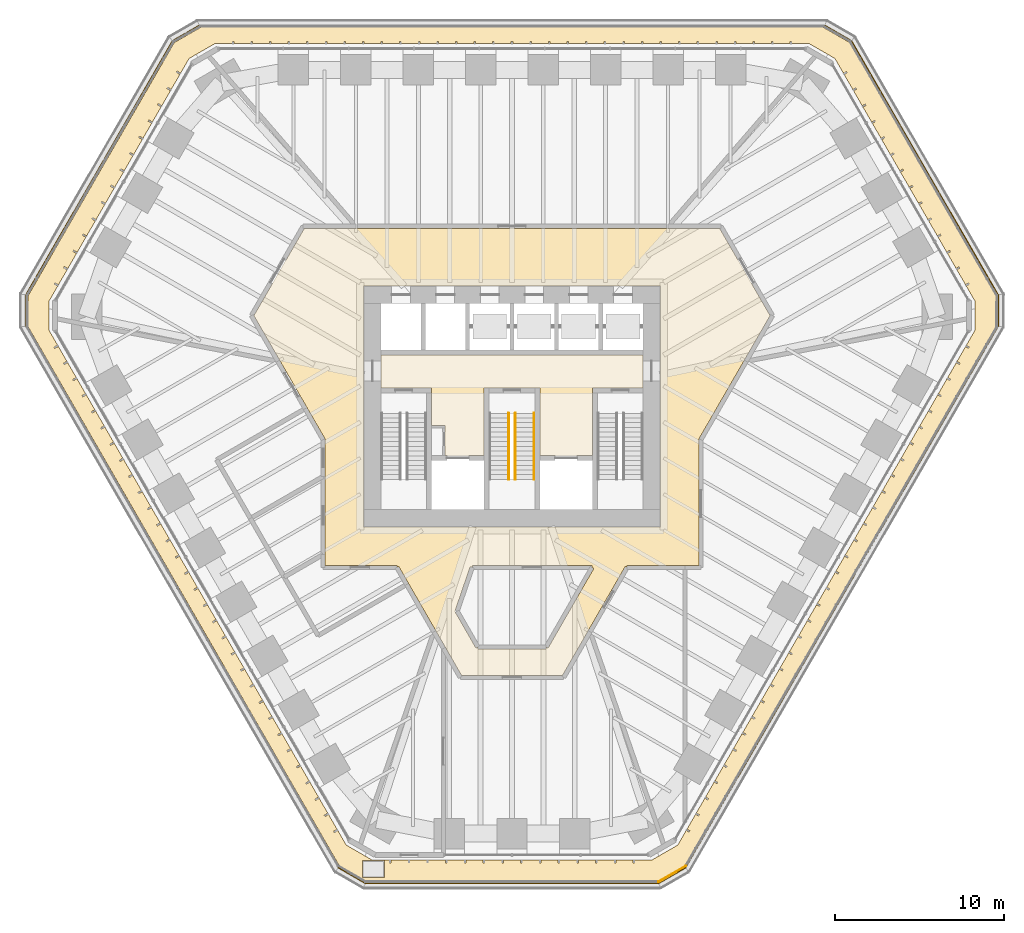
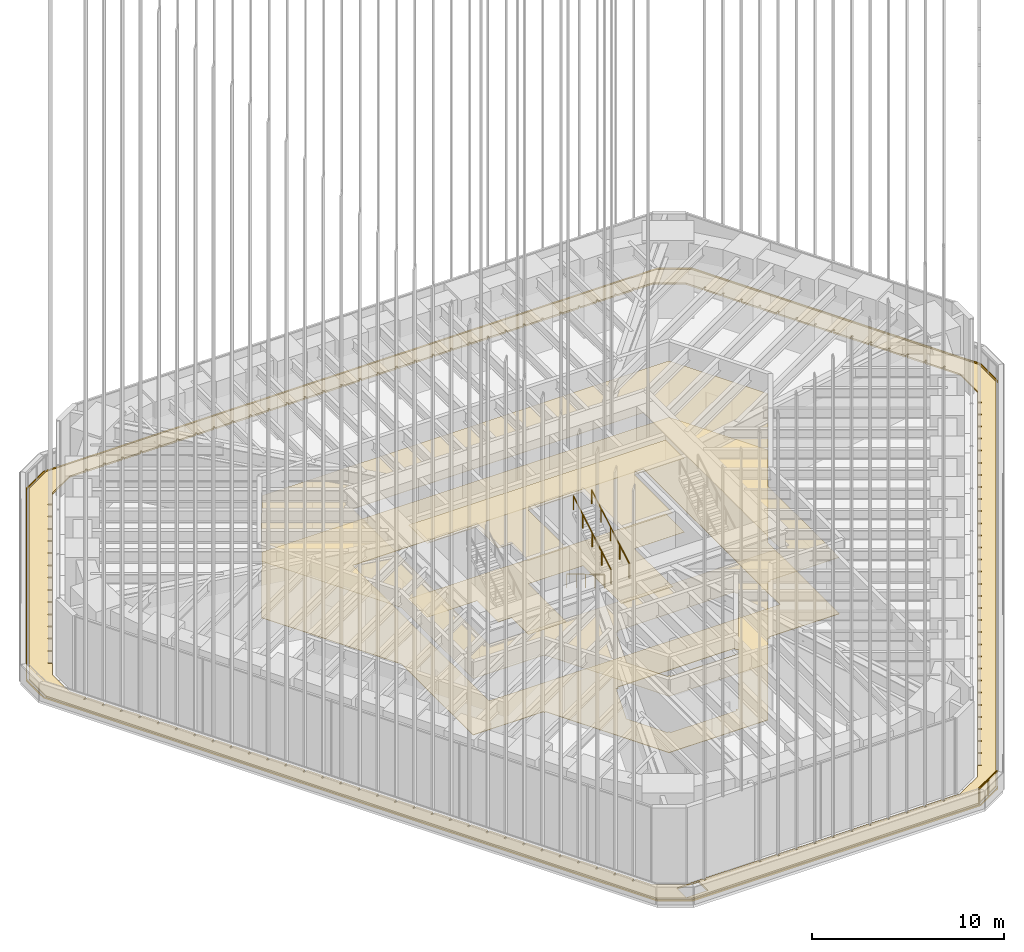
# One storey, part 224 of 228: 6 coverings, 4 railings.
"""IFC4 building model written with IfcOpenShell, lengths in metres."""

from ifc_helpers import new_model, si_unit, direction, frame, origin, origin_2d, place, context, subcontext, project, spatial, polyline, circle, outline, extrude, material, layer, layer_set, type_object, element, save


model = new_model("IFC4")

# Units and contexts
model_context = context("Model", 3, precision=1e-05, world=origin(), true_north=direction((0.0, 1.0)))
body_context = subcontext(model_context, "Body", "Model", "MODEL_VIEW")
ifc_project = project(units=[si_unit("LENGTHUNIT", "METRE"), si_unit("AREAUNIT", "SQUARE_METRE"), si_unit("VOLUMEUNIT", "CUBIC_METRE"), si_unit("PLANEANGLEUNIT", "RADIAN"), si_unit("MASSUNIT", "GRAM", prefix="KILO")], contexts=[model_context])

# Site, building, storey
site_placement = place(None, origin())
site = spatial("IfcSite", under=ifc_project, at=site_placement, CompositionType="ELEMENT")
building_placement = place(site_placement, origin())
building = spatial("IfcBuilding", under=site, at=building_placement, Name="Sandreach Pilgrim Tower", CompositionType="ELEMENT")
storey_placement = place(building_placement, frame((0.0, 0.0, 178.199951171875)))
storey = spatial("IfcBuildingStorey", under=building, at=storey_placement, Name="L44", CompositionType="ELEMENT", Elevation=178.199951171875)

# Coverings
ifc_material_1 = material(Name="Nylon carpet tile on the slab", Category="textile")
ifc_layer_1 = layer(ifc_material_1, 0.008056640625)
ifc_layer_set_1 = layer_set([ifc_layer_1], Name="Carpet tile")
covering_type_1 = type_object("IfcCoveringType", Name="Carpet tile", PredefinedType="FLOORING", material=ifc_layer_set_1)
covering_1_placement = place(storey_placement, origin())
element("IfcCovering", 1, at=covering_1_placement, inside=storey, type_object=covering_type_1, Name="Floor finish 44FL Fire service lift lobby", PredefinedType="FLOORING", context=body_context, shape_type="SweptSolid", body=[
    extrude(outline(polyline([(-3.949951171875, -1.125), (-4.75, -1.125), (-4.75, 1.10009765625), (-7.75, 1.10009765625), (-7.75, 3.050048828125), (7.75, 3.050048828125), (7.75, 1.10009765625), (4.75, 1.10009765625), (4.75, -2.89990234375), (1.64990234375, -2.89990234375), (1.64990234375, 1.10009765625), (-1.64990234375, 1.10009765625), (-1.64990234375, -2.89990234375), (-3.949951171875, -2.89990234375), (-3.949951171875, -1.125)])), origin(), (0.0, 0.0, 1.0), 0.008056640625),
])
ifc_material_2 = material(Name="Gypsum board suspended ceiling on a steel grid", Category="steel")
ifc_layer_2 = layer(ifc_material_2, 0.012939453125)
ifc_layer_set_2 = layer_set([ifc_layer_2], Name="Gypsum board suspended ceiling")
covering_type_2 = type_object("IfcCoveringType", Name="Gypsum board suspended ceiling", PredefinedType="CEILING", material=ifc_layer_set_2)
covering_2_placement = place(storey_placement, frame((0.0, 0.0, 4.699951171875)))
element("IfcCovering", 2, at=covering_2_placement, inside=storey, type_object=covering_type_2, Name="Ceiling 44FL Fire service lift lobby", PredefinedType="CEILING", context=body_context, shape_type="SweptSolid", body=[
    extrude(outline(polyline([(-3.949951171875, -1.125), (-4.75, -1.125), (-4.75, 1.10009765625), (-7.75, 1.10009765625), (-7.75, 3.050048828125), (7.75, 3.050048828125), (7.75, 1.10009765625), (4.75, 1.10009765625), (4.75, -2.89990234375), (1.64990234375, -2.89990234375), (1.64990234375, 1.10009765625), (-1.64990234375, 1.10009765625), (-1.64990234375, -2.89990234375), (-3.949951171875, -2.89990234375), (-3.949951171875, -1.125)])), origin(), (0.0, 0.0, 1.0), 0.01318359375),
])

# Railing
ifc_material_3 = material(Name="Galvanised steel guardrail", Category="steel")
railing_type_1 = type_object("IfcRailingType", Name="Setback roof guard", PredefinedType="GUARDRAIL", material=ifc_material_3)
railing_1_placement = place(storey_placement, frame((8.666748046875, -28.110107421875, 0.0)))
element("IfcRailing", 3, at=railing_1_placement, inside=storey, type_object=railing_type_1, Name="Setback maintenance roof guard L44 7", PredefinedType="GUARDRAIL", context=body_context, shape_type="SweptSolid", body=[
    extrude(circle(Radius=0.02392578125, at=origin_2d()), frame((0.0, 0.0, 1.076171875), z_axis=(0.864674658425, 0.502332295476, 0.0), x_axis=(-0.502332295476, 0.864674658425, 0.0)), (0.0, 0.0, 1.0), 1.855712890625),
    extrude(circle(Radius=0.02099609375, at=origin_2d()), origin(), (0.0, 0.0, 1.0), 1.052001953125),
    extrude(circle(Radius=0.02099609375, at=origin_2d()), frame((0.80224609375, 0.466064453125, 0.0)), (0.0, 0.0, 1.0), 1.052001953125),
    extrude(circle(Radius=0.02099609375, at=origin_2d()), frame((1.6044921875, 0.93212890625, 0.0)), (0.0, 0.0, 1.0), 1.052001953125),
])

# Coverings
ifc_material_4 = material(Name="Gravel ballast, insulation and waterproofing membrane", Category="stone")
ifc_layer_3 = layer(ifc_material_4, 0.10009765625)
ifc_layer_set_3 = layer_set([ifc_layer_3], Name="Setback roofing - ballast over insulation and membrane")
covering_type_3 = type_object("IfcCoveringType", Name="Setback roofing - ballast over insulation and membrane", PredefinedType="ROOFING", material=ifc_layer_set_3)
covering_3_placement = place(storey_placement, origin())
element("IfcCovering", 4, at=covering_3_placement, inside=storey, type_object=covering_type_3, Name="Setback roofing L44 RING", PredefinedType="ROOFING", context=body_context, shape_type="SweptSolid", body=[
    extrude(outline(polyline([(18.38671875, 22.42919921875), (19.970458984375, 21.520263671875), (28.622314453125, 6.53466796875), (28.61767578125, 4.70849609375), (10.23095703125, -27.137939453125), (8.65185546875, -28.054931640625), (-8.65185546875, -28.054931640625), (-10.23095703125, -27.137939453125), (-28.61767578125, 4.70849609375), (-28.622314453125, 6.53466796875), (-19.970458984375, 21.520263671875), (-18.38671875, 22.42919921875), (18.38671875, 22.42919921875)]), holes=[polyline([(-19.095947265625, 20.5751953125), (-19.5947265625, 19.711181640625), (-19.806884765625, 19.83349609375), (-19.85205078125, 19.755615234375), (-19.639892578125, 19.633056640625), (-20.15087890625, 18.748046875), (-20.363037109375, 18.87060546875), (-20.407958984375, 18.79248046875), (-20.19580078125, 18.670166015625), (-20.706787109375, 17.78515625), (-20.9189453125, 17.90771484375), (-20.964111328125, 17.82958984375), (-20.751708984375, 17.70703125), (-21.2626953125, 16.822021484375), (-21.47509765625, 16.944580078125), (-21.52001953125, 16.86669921875), (-21.307861328125, 16.744140625), (-21.81884765625, 15.859130859375), (-22.031005859375, 15.981689453125), (-22.075927734375, 15.903564453125), (-21.86376953125, 15.781005859375), (-22.374755859375, 14.89599609375), (-22.5869140625, 15.0185546875), (-22.6318359375, 14.940673828125), (-22.419921875, 14.818115234375), (-22.930908203125, 13.93310546875), (-23.142822265625, 14.055419921875), (-23.18798828125, 13.9775390625), (-22.975830078125, 13.85498046875), (-23.48681640625, 12.969970703125), (-23.698974609375, 13.092529296875), (-23.743896484375, 13.0146484375), (-23.53173828125, 12.89208984375), (-24.042724609375, 12.007080078125), (-24.2548828125, 12.12939453125), (-24.2998046875, 12.051513671875), (-24.087646484375, 11.92919921875), (-24.5986328125, 11.0439453125), (-24.810791015625, 11.16650390625), (-24.85595703125, 11.088623046875), (-24.643798828125, 10.966064453125), (-25.15478515625, 10.0810546875), (-25.366943359375, 10.20361328125), (-25.411865234375, 10.12548828125), (-25.19970703125, 10.003173828125), (-25.710693359375, 9.117919921875), (-25.9228515625, 9.240478515625), (-25.968017578125, 9.16259765625), (-25.755615234375, 9.0400390625), (-26.2666015625, 8.155029296875), (-26.47900390625, 8.277587890625), (-26.52392578125, 8.19970703125), (-26.311767578125, 8.0771484375), (-26.82275390625, 7.19189453125), (-27.034912109375, 7.314453125), (-27.079833984375, 7.236572265625), (-26.86767578125, 7.114013671875), (-27.366455078125, 6.25), (-27.366455078125, 4.47998046875), (-26.872802734375, 3.62451171875), (-27.0849609375, 3.502197265625), (-27.039794921875, 3.42431640625), (-26.82763671875, 3.546630859375), (-26.32177734375, 2.670166015625), (-26.53369140625, 2.547607421875), (-26.48876953125, 2.4697265625), (-26.276611328125, 2.59228515625), (-25.770751953125, 1.7158203125), (-25.98291015625, 1.593505859375), (-25.937744140625, 1.515380859375), (-25.7255859375, 1.637939453125), (-25.219482421875, 0.761474609375), (-25.431884765625, 0.638916015625), (-25.38671875, 0.56103515625), (-25.174560546875, 0.68359375), (-24.668701171875, -0.19287109375), (-24.880859375, -0.3154296875), (-24.835693359375, -0.393310546875), (-24.62353515625, -0.270751953125), (-24.11767578125, -1.147216796875), (-24.329833984375, -1.269775390625), (-24.284912109375, -1.34765625), (-24.072509765625, -1.22509765625), (-23.566650390625, -2.101806640625), (-23.77880859375, -2.22412109375), (-23.73388671875, -2.302001953125), (-23.521484375, -2.1796875), (-23.015625, -3.055908203125), (-23.227783203125, -3.178466796875), (-23.182861328125, -3.256591796875), (-22.970703125, -3.134033203125), (-22.464599609375, -4.010498046875), (-22.6767578125, -4.1328125), (-22.6318359375, -4.2109375), (-22.419677734375, -4.08837890625), (-21.91357421875, -4.96484375), (-22.125732421875, -5.08740234375), (-22.080810546875, -5.165283203125), (-21.86865234375, -5.042724609375), (-21.362548828125, -5.919189453125), (-21.57470703125, -6.041748046875), (-21.52978515625, -6.11962890625), (-21.317626953125, -5.9970703125), (-20.8115234375, -6.87353515625), (-21.023681640625, -6.99609375), (-20.978759765625, -7.073974609375), (-20.7666015625, -6.951416015625), (-20.260498046875, -7.827880859375), (-20.47265625, -7.950439453125), (-20.427734375, -8.0283203125), (-20.215576171875, -7.906005859375), (-19.70947265625, -8.7822265625), (-19.921630859375, -8.90478515625), (-19.876708984375, -8.98291015625), (-19.66455078125, -8.8603515625), (-19.158447265625, -9.73681640625), (-19.37060546875, -9.859130859375), (-19.32568359375, -9.93701171875), (-19.113525390625, -9.814697265625), (-18.607421875, -10.691162109375), (-18.819580078125, -10.813720703125), (-18.774658203125, -10.8916015625), (-18.5625, -10.76904296875), (-18.056396484375, -11.6455078125), (-18.268798828125, -11.76806640625), (-18.2236328125, -11.845947265625), (-18.011474609375, -11.723388671875), (-17.505615234375, -12.599853515625), (-17.7177734375, -12.722412109375), (-17.672607421875, -12.80029296875), (-17.46044921875, -12.677734375), (-16.95458984375, -13.55419921875), (-17.16650390625, -13.6767578125), (-17.12158203125, -13.754638671875), (-16.909423828125, -13.632080078125), (-16.403564453125, -14.508544921875), (-16.615478515625, -14.631103515625), (-16.570556640625, -14.708984375), (-16.3583984375, -14.58642578125), (-15.852294921875, -15.462890625), (-16.064697265625, -15.58544921875), (-16.01953125, -15.663330078125), (-15.807373046875, -15.541015625), (-15.301513671875, -16.41748046875), (-15.513671875, -16.539794921875), (-15.468505859375, -16.617919921875), (-15.25634765625, -16.495361328125), (-14.75048828125, -17.37158203125), (-14.962646484375, -17.494140625), (-14.91748046875, -17.572265625), (-14.705322265625, -17.44970703125), (-14.199462890625, -18.326171875), (-14.41162109375, -18.448486328125), (-14.36669921875, -18.526611328125), (-14.154296875, -18.404052734375), (-13.6484375, -19.280517578125), (-13.860595703125, -19.403076171875), (-13.815673828125, -19.48095703125), (-13.603515625, -19.3583984375), (-13.097412109375, -20.23486328125), (-13.3095703125, -20.357421875), (-13.2646484375, -20.435302734375), (-13.052490234375, -20.312744140625), (-12.54638671875, -21.189208984375), (-12.758544921875, -21.311767578125), (-12.71337890625, -21.3896484375), (-12.50146484375, -21.26708984375), (-11.995361328125, -22.1435546875), (-12.20751953125, -22.26611328125), (-12.16259765625, -22.343994140625), (-11.950439453125, -22.2216796875), (-11.4443359375, -23.097900390625), (-11.656494140625, -23.220458984375), (-11.611572265625, -23.298583984375), (-11.3994140625, -23.176025390625), (-10.893310546875, -24.052490234375), (-11.10546875, -24.1748046875), (-11.060546875, -24.252685546875), (-10.848388671875, -24.13037109375), (-10.34228515625, -25.0068359375), (-10.554443359375, -25.12939453125), (-10.509521484375, -25.207275390625), (-10.29736328125, -25.084716796875), (-9.803466796875, -25.940185546875), (-8.2705078125, -26.8251953125), (-7.2529296875, -26.8251953125), (-7.2529296875, -26.989990234375), (-7.162841796875, -26.989990234375), (-7.162841796875, -26.8251953125), (-3.92626953125, -26.8251953125), (-3.92626953125, -26.989990234375), (-3.836181640625, -26.989990234375), (-3.836181640625, -26.8251953125), (-2.8173828125, -26.8251953125), (-2.8173828125, -26.989990234375), (-2.727294921875, -26.989990234375), (-2.727294921875, -26.8251953125), (-1.70849609375, -26.8251953125), (-1.70849609375, -26.989990234375), (-1.618408203125, -26.989990234375), (-1.618408203125, -26.8251953125), (-0.599609375, -26.8251953125), (-0.599609375, -26.989990234375), (-0.509521484375, -26.989990234375), (-0.509521484375, -26.8251953125), (0.509521484375, -26.8251953125), (0.509521484375, -26.989990234375), (0.599609375, -26.989990234375), (0.599609375, -26.8251953125), (1.618408203125, -26.8251953125), (1.618408203125, -26.989990234375), (1.70849609375, -26.989990234375), (1.70849609375, -26.8251953125), (2.727294921875, -26.8251953125), (2.727294921875, -26.989990234375), (2.8173828125, -26.989990234375), (2.8173828125, -26.8251953125), (3.836181640625, -26.8251953125), (3.836181640625, -26.989990234375), (3.92626953125, -26.989990234375), (3.92626953125, -26.8251953125), (4.945068359375, -26.8251953125), (4.945068359375, -26.989990234375), (5.03515625, -26.989990234375), (5.03515625, -26.8251953125), (6.053955078125, -26.8251953125), (6.053955078125, -26.989990234375), (6.14404296875, -26.989990234375), (6.14404296875, -26.8251953125), (7.162841796875, -26.8251953125), (7.162841796875, -26.989990234375), (7.2529296875, -26.989990234375), (7.2529296875, -26.8251953125), (8.2705078125, -26.8251953125), (9.803466796875, -25.940185546875), (10.302734375, -25.075439453125), (10.480224609375, -25.177978515625), (10.525390625, -25.099853515625), (10.34765625, -24.997314453125), (10.853515625, -24.12158203125), (11.031005859375, -24.22412109375), (11.075927734375, -24.146240234375), (10.8984375, -24.043701171875), (11.404052734375, -23.167724609375), (11.58154296875, -23.270263671875), (11.626708984375, -23.1923828125), (11.448974609375, -23.08984375), (11.95458984375, -22.214111328125), (12.132080078125, -22.316650390625), (12.17724609375, -22.238525390625), (11.999755859375, -22.135986328125), (12.50537109375, -21.26025390625), (12.682861328125, -21.36279296875), (12.727783203125, -21.284912109375), (12.55029296875, -21.182373046875), (13.055908203125, -20.306640625), (13.2333984375, -20.4091796875), (13.278564453125, -20.3310546875), (13.10107421875, -20.228515625), (13.606689453125, -19.352783203125), (13.7841796875, -19.455322265625), (13.8291015625, -19.37744140625), (13.651611328125, -19.27490234375), (14.1572265625, -18.399169921875), (14.334716796875, -18.501708984375), (14.3798828125, -18.423583984375), (14.202392578125, -18.321044921875), (14.7080078125, -17.4453125), (14.885498046875, -17.5478515625), (14.930419921875, -17.469970703125), (14.7529296875, -17.367431640625), (15.258544921875, -16.49169921875), (15.43603515625, -16.593994140625), (15.481201171875, -16.51611328125), (15.3037109375, -16.41357421875), (15.80908203125, -15.537841796875), (15.98681640625, -15.640380859375), (16.03173828125, -15.5625), (15.854248046875, -15.4599609375), (16.35986328125, -14.583984375), (16.537353515625, -14.6865234375), (16.58251953125, -14.608642578125), (16.40478515625, -14.506103515625), (16.910400390625, -13.63037109375), (17.088134765625, -13.73291015625), (17.133056640625, -13.65478515625), (16.95556640625, -13.55224609375), (17.461181640625, -12.676513671875), (17.638671875, -12.779052734375), (17.68359375, -12.701171875), (17.506103515625, -12.5986328125), (18.01171875, -11.722900390625), (18.189453125, -11.8251953125), (18.234375, -11.747314453125), (18.056884765625, -11.644775390625), (18.5625, -10.76904296875), (18.739990234375, -10.87158203125), (18.784912109375, -10.793701171875), (18.607421875, -10.691162109375), (19.11328125, -9.815185546875), (19.290771484375, -9.917724609375), (19.335693359375, -9.83984375), (19.158203125, -9.7373046875), (19.663818359375, -8.861572265625), (19.84130859375, -8.964111328125), (19.88623046875, -8.885986328125), (19.708740234375, -8.78369140625), (20.214599609375, -7.90771484375), (20.39208984375, -8.01025390625), (20.43701171875, -7.932373046875), (20.259521484375, -7.829833984375), (20.76513671875, -6.9541015625), (20.942626953125, -7.056396484375), (20.987548828125, -6.978515625), (20.81005859375, -6.876220703125), (21.31591796875, -6.000244140625), (21.493408203125, -6.102783203125), (21.538330078125, -6.02490234375), (21.36083984375, -5.92236328125), (21.866455078125, -5.04638671875), (22.0439453125, -5.14892578125), (22.0888671875, -5.071044921875), (21.911376953125, -4.968505859375), (22.4169921875, -4.0927734375), (22.594482421875, -4.1953125), (22.6396484375, -4.1171875), (22.462158203125, -4.014892578125), (22.9677734375, -3.138916015625), (23.145263671875, -3.241455078125), (23.190185546875, -3.16357421875), (23.0126953125, -3.06103515625), (23.518310546875, -2.185302734375), (23.69580078125, -2.28759765625), (23.740966796875, -2.209716796875), (23.5634765625, -2.107421875), (24.069091796875, -1.2314453125), (24.24658203125, -1.333984375), (24.29150390625, -1.256103515625), (24.114013671875, -1.153564453125), (24.61962890625, -0.277587890625), (24.797119140625, -0.380126953125), (24.84228515625, -0.30224609375), (24.664794921875, -0.19970703125), (25.17041015625, 0.676025390625), (25.347900390625, 0.573486328125), (25.392822265625, 0.651611328125), (25.21533203125, 0.75390625), (25.720947265625, 1.6298828125), (25.8984375, 1.52734375), (25.943603515625, 1.605224609375), (25.76611328125, 1.707763671875), (26.271484375, 2.58349609375), (26.44921875, 2.48095703125), (26.494140625, 2.55908203125), (26.316650390625, 2.66162109375), (26.822265625, 3.537353515625), (26.999755859375, 3.434814453125), (27.044921875, 3.5126953125), (26.8671875, 3.615234375), (27.366455078125, 4.47998046875), (27.366455078125, 6.25), (26.86279296875, 7.122802734375), (27.040283203125, 7.22509765625), (26.9951171875, 7.30322265625), (26.817626953125, 7.20068359375), (26.3076171875, 8.08447265625), (26.485107421875, 8.18701171875), (26.43994140625, 8.264892578125), (26.262451171875, 8.162353515625), (25.752197265625, 9.046142578125), (25.9296875, 9.148681640625), (25.884765625, 9.2265625), (25.707275390625, 9.1240234375), (25.197021484375, 10.0078125), (25.37451171875, 10.110107421875), (25.32958984375, 10.188232421875), (25.152099609375, 10.085693359375), (24.641845703125, 10.969482421875), (24.8193359375, 11.072021484375), (24.7744140625, 11.14990234375), (24.5966796875, 11.04736328125), (24.086669921875, 11.93115234375), (24.26416015625, 12.03369140625), (24.218994140625, 12.111572265625), (24.04150390625, 12.009033203125), (23.531494140625, 12.892822265625), (23.708984375, 12.995361328125), (23.663818359375, 13.0732421875), (23.486328125, 12.970703125), (22.97607421875, 13.8544921875), (23.15380859375, 13.956787109375), (23.108642578125, 14.034912109375), (22.93115234375, 13.932373046875), (22.4208984375, 14.816162109375), (22.598388671875, 14.918701171875), (22.553466796875, 14.99658203125), (22.3759765625, 14.89404296875), (21.86572265625, 15.77783203125), (22.043212890625, 15.88037109375), (21.998291015625, 15.958251953125), (21.82080078125, 15.855712890625), (21.310546875, 16.739501953125), (21.488037109375, 16.841796875), (21.443115234375, 16.919921875), (21.265380859375, 16.8173828125), (20.75537109375, 17.701171875), (20.932861328125, 17.8037109375), (20.8876953125, 17.881591796875), (20.710205078125, 17.779052734375), (20.199951171875, 18.662841796875), (20.377685546875, 18.765380859375), (20.33251953125, 18.84326171875), (20.155029296875, 18.74072265625), (19.644775390625, 19.62451171875), (19.822265625, 19.72705078125), (19.77734375, 19.804931640625), (19.599853515625, 19.702392578125), (19.095947265625, 20.5751953125), (17.56298828125, 21.460205078125), (16.54296875, 21.460205078125), (16.54296875, 21.585205078125), (16.452880859375, 21.585205078125), (16.452880859375, 21.460205078125), (15.443115234375, 21.460205078125), (15.443115234375, 21.585205078125), (15.35302734375, 21.585205078125), (15.35302734375, 21.460205078125), (14.34326171875, 21.460205078125), (14.34326171875, 21.585205078125), (14.253173828125, 21.585205078125), (14.253173828125, 21.460205078125), (13.243408203125, 21.460205078125), (13.243408203125, 21.585205078125), (13.1533203125, 21.585205078125), (13.1533203125, 21.460205078125), (12.143310546875, 21.460205078125), (12.143310546875, 21.585205078125), (12.053466796875, 21.585205078125), (12.053466796875, 21.460205078125), (11.043701171875, 21.460205078125), (11.043701171875, 21.585205078125), (10.95361328125, 21.585205078125), (10.95361328125, 21.460205078125), (9.943603515625, 21.460205078125), (9.943603515625, 21.585205078125), (9.853759765625, 21.585205078125), (9.853759765625, 21.460205078125), (8.843994140625, 21.460205078125), (8.843994140625, 21.585205078125), (8.75390625, 21.585205078125), (8.75390625, 21.460205078125), (7.743896484375, 21.460205078125), (7.743896484375, 21.585205078125), (7.654052734375, 21.585205078125), (7.654052734375, 21.460205078125), (6.64404296875, 21.460205078125), (6.64404296875, 21.585205078125), (6.55419921875, 21.585205078125), (6.55419921875, 21.460205078125), (5.544189453125, 21.460205078125), (5.544189453125, 21.585205078125), (5.454345703125, 21.585205078125), (5.454345703125, 21.460205078125), (4.4443359375, 21.460205078125), (4.4443359375, 21.585205078125), (4.3544921875, 21.585205078125), (4.3544921875, 21.460205078125), (3.344482421875, 21.460205078125), (3.344482421875, 21.585205078125), (3.254638671875, 21.585205078125), (3.254638671875, 21.460205078125), (2.24462890625, 21.460205078125), (2.24462890625, 21.585205078125), (2.15478515625, 21.585205078125), (2.15478515625, 21.460205078125), (1.14501953125, 21.460205078125), (1.14501953125, 21.585205078125), (1.054931640625, 21.585205078125), (1.054931640625, 21.460205078125), (0.044921875, 21.460205078125), (0.044921875, 21.585205078125), (-0.044921875, 21.585205078125), (-0.044921875, 21.460205078125), (-1.054931640625, 21.460205078125), (-1.054931640625, 21.585205078125), (-1.14501953125, 21.585205078125), (-1.14501953125, 21.460205078125), (-2.15478515625, 21.460205078125), (-2.15478515625, 21.585205078125), (-2.24462890625, 21.585205078125), (-2.24462890625, 21.460205078125), (-3.254638671875, 21.460205078125), (-3.254638671875, 21.585205078125), (-3.344482421875, 21.585205078125), (-3.344482421875, 21.460205078125), (-4.3544921875, 21.460205078125), (-4.3544921875, 21.585205078125), (-4.4443359375, 21.585205078125), (-4.4443359375, 21.460205078125), (-5.454345703125, 21.460205078125), (-5.454345703125, 21.585205078125), (-5.544189453125, 21.585205078125), (-5.544189453125, 21.460205078125), (-6.55419921875, 21.460205078125), (-6.55419921875, 21.585205078125), (-6.64404296875, 21.585205078125), (-6.64404296875, 21.460205078125), (-7.654052734375, 21.460205078125), (-7.654052734375, 21.585205078125), (-7.743896484375, 21.585205078125), (-7.743896484375, 21.460205078125), (-8.75390625, 21.460205078125), (-8.75390625, 21.585205078125), (-8.843994140625, 21.585205078125), (-8.843994140625, 21.460205078125), (-9.853759765625, 21.460205078125), (-9.853759765625, 21.585205078125), (-9.943603515625, 21.585205078125), (-9.943603515625, 21.460205078125), (-10.95361328125, 21.460205078125), (-10.95361328125, 21.585205078125), (-11.043701171875, 21.585205078125), (-11.043701171875, 21.460205078125), (-12.053466796875, 21.460205078125), (-12.053466796875, 21.585205078125), (-12.143310546875, 21.585205078125), (-12.143310546875, 21.460205078125), (-13.1533203125, 21.460205078125), (-13.1533203125, 21.585205078125), (-13.243408203125, 21.585205078125), (-13.243408203125, 21.460205078125), (-14.253173828125, 21.460205078125), (-14.253173828125, 21.585205078125), (-14.34326171875, 21.585205078125), (-14.34326171875, 21.460205078125), (-15.35302734375, 21.460205078125), (-15.35302734375, 21.585205078125), (-15.443115234375, 21.585205078125), (-15.443115234375, 21.460205078125), (-16.452880859375, 21.460205078125), (-16.452880859375, 21.585205078125), (-16.54296875, 21.585205078125), (-16.54296875, 21.460205078125), (-17.56298828125, 21.460205078125), (-19.095947265625, 20.5751953125)]), polyline([(-7.550048828125, -27.864990234375), (-7.550048828125, -26.864990234375), (-8.85009765625, -26.864990234375), (-8.85009765625, -27.864990234375), (-7.550048828125, -27.864990234375)])]), origin(), (0.0, 0.0, 1.0), 0.10009765625),
])
covering_4_placement = place(storey_placement, origin())
element("IfcCovering", 5, at=covering_4_placement, inside=storey, type_object=covering_type_3, Name="Setback roofing L44 RING part 2", PredefinedType="ROOFING", context=body_context, shape_type="SweptSolid", body=[
    extrude(outline(polyline([(-18.52490234375, 22.547607421875), (18.52490234375, 22.547607421875), (20.08544921875, 21.648681640625), (28.791015625, 6.5703125), (28.789306640625, 4.76904296875), (10.264404296875, -27.31689453125), (8.70556640625, -28.218994140625), (-8.70556640625, -28.218994140625), (-10.264404296875, -27.31689453125), (-28.789306640625, 4.76904296875), (-28.791015625, 6.5703125), (-20.08544921875, 21.648681640625), (-18.52490234375, 22.547607421875)]), holes=[polyline([(-28.72265625, 4.670654296875), (-10.31640625, -27.2099609375), (-10.284912109375, -27.19189453125), (-10.30322265625, -27.22314453125), (-8.68994140625, -28.16015625), (-8.671630859375, -28.128662109375), (-8.671630859375, -28.1650390625), (8.671630859375, -28.1650390625), (8.671630859375, -28.128662109375), (8.68994140625, -28.16015625), (10.30322265625, -27.22314453125), (10.284912109375, -27.19189453125), (10.31640625, -27.2099609375), (28.72265625, 4.670654296875), (28.69140625, 4.688720703125), (28.7275390625, 4.688720703125), (28.732421875, 6.55419921875), (28.69580078125, 6.55419921875), (28.7275390625, 6.572509765625), (20.0556640625, 21.59228515625), (20.024169921875, 21.57421875), (20.042236328125, 21.605712890625), (18.42431640625, 22.534423828125), (18.40625, 22.5029296875), (18.40625, 22.539306640625), (-18.40625, 22.539306640625), (-18.40625, 22.5029296875), (-18.42431640625, 22.534423828125), (-20.042236328125, 21.605712890625), (-20.024169921875, 21.57421875), (-20.0556640625, 21.59228515625), (-28.7275390625, 6.572509765625), (-28.69580078125, 6.55419921875), (-28.732421875, 6.55419921875), (-28.7275390625, 4.688720703125), (-28.69140625, 4.688720703125), (-28.72265625, 4.670654296875)])]), origin(), (0.0, 0.0, 1.0), 0.10009765625),
])

# Railings
ifc_material_5 = material(Name="Stainless steel tube", Category="steel")
railing_type_2 = type_object("IfcRailingType", Name="Stair handrail", PredefinedType="HANDRAIL", material=ifc_material_5)
railing_2_placement = place(storey_placement, frame((-0.199951171875, -0.39990234375, 0.166748046875)))
element("IfcRailing", 6, at=railing_2_placement, inside=storey, type_object=railing_type_2, Name="Handrail ST3 L44 flight 1", PredefinedType="HANDRAIL", context=body_context, shape_type="SweptSolid", body=[
    extrude(circle(Radius=0.02392578125, at=origin_2d()), frame((0.0, 0.0, 0.8759765625), z_axis=(0.0, -0.859310244771, 0.511454693235), x_axis=(1.0, 0.0, 0.0)), (0.0, 0.0, 1.0), 4.56201171875),
    extrude(circle(Radius=0.02099609375, at=origin_2d()), origin(), (0.0, 0.0, 1.0), 0.851806640625),
    extrude(circle(Radius=0.02099609375, at=origin_2d()), frame((0.0, -0.97998046875, 0.583251953125)), (0.0, 0.0, 1.0), 0.851806640625),
    extrude(circle(Radius=0.02099609375, at=origin_2d()), frame((0.0, -1.9599609375, 1.16650390625)), (0.0, 0.0, 1.0), 0.851806640625),
    extrude(circle(Radius=0.02099609375, at=origin_2d()), frame((0.0, -2.940185546875, 1.75)), (0.0, 0.0, 1.0), 0.851806640625),
    extrude(circle(Radius=0.02099609375, at=origin_2d()), frame((0.0, -3.920166015625, 2.333251953125)), (0.0, 0.0, 1.0), 0.851806640625),
])
for number, where, name in (
    (7, (0.199951171875, -4.320068359375, 2.666748046875), "Handrail ST3 L44 flight 2"),
    (8, (1.300048828125, -4.320068359375, 2.666748046875), "Handrail ST3 L44 flight 2"),
):
    element("IfcRailing", number, at=place(storey_placement, frame(where)), inside=storey, type_object=railing_type_2, Name=name, PredefinedType="HANDRAIL", context=body_context, shape_type="SweptSolid", body=[
        extrude(circle(Radius=0.02392578125, at=origin_2d()), frame((0.0, 0.0, 0.8759765625), z_axis=(0.0, 0.859310244771, 0.511454693235), x_axis=(-1.0, 0.0, 0.0)), (0.0, 0.0, 1.0), 4.56201171875),
        extrude(circle(Radius=0.02099609375, at=origin_2d()), origin(), (0.0, 0.0, 1.0), 0.851806640625),
        extrude(circle(Radius=0.02099609375, at=origin_2d()), frame((0.0, 0.97998046875, 0.583251953125)), (0.0, 0.0, 1.0), 0.851806640625),
        extrude(circle(Radius=0.02099609375, at=origin_2d()), frame((0.0, 1.9599609375, 1.16650390625)), (0.0, 0.0, 1.0), 0.851806640625),
        extrude(circle(Radius=0.02099609375, at=origin_2d()), frame((0.0, 2.940185546875, 1.75)), (0.0, 0.0, 1.0), 0.851806640625),
        extrude(circle(Radius=0.02099609375, at=origin_2d()), frame((0.0, 3.920166015625, 2.333251953125)), (0.0, 0.0, 1.0), 0.851806640625),
    ])

# Coverings
ifc_material_6 = material(Name="Honed limestone paving on a mortar bed", Category="masonry")
ifc_layer_4 = layer(ifc_material_6, 0.030029296875)
ifc_layer_set_4 = layer_set([ifc_layer_4], Name="Stone paving")
covering_type_4 = type_object("IfcCoveringType", Name="Stone paving", PredefinedType="FLOORING", material=ifc_layer_set_4)
covering_5_placement = place(storey_placement, origin())
element("IfcCovering", 9, at=covering_5_placement, inside=storey, type_object=covering_type_4, Name="Floor finish 44C Sky lobby", PredefinedType="FLOORING", context=body_context, shape_type="SweptSolid", body=[
    extrude(outline(polyline([(-11.044921875, -1.9365234375), (-15.265625, 5.369873046875), (-12.27783203125, 10.534912109375), (12.27783203125, 10.534912109375), (15.265625, 5.369873046875), (11.044921875, -1.9365234375), (11.044921875, -9.39501953125), (6.81005859375, -9.39501953125), (6.81005859375, -9.52001953125), (6.70166015625, -9.45751953125), (2.98779296875, -15.905029296875), (-2.98779296875, -15.905029296875), (-6.70166015625, -9.45751953125), (-6.81005859375, -9.52001953125), (-6.81005859375, -9.39501953125), (-11.044921875, -9.39501953125), (-11.044921875, -1.9365234375)]), holes=[polyline([(8.77001953125, -7.1201171875), (8.77001953125, 7.1201171875), (-8.77001953125, 7.1201171875), (-8.77001953125, -7.1201171875), (8.77001953125, -7.1201171875)]), polyline([(-3.376708984375, -12.123046875), (-2.12841796875, -14.292236328125), (-2.02001953125, -14.22998046875), (-2.02001953125, -14.35498046875), (2.02001953125, -14.35498046875), (2.02001953125, -14.22998046875), (2.12841796875, -14.292236328125), (4.83837890625, -9.582275390625), (4.72998046875, -9.52001953125), (4.72998046875, -9.39501953125), (-2.35009765625, -9.39501953125), (-2.35009765625, -9.52001953125), (-2.46826171875, -9.4794921875), (-3.376708984375, -12.123046875)])]), origin(), (0.0, 0.0, 1.0), 0.030029296875),
])
ifc_material_7 = material(Name="Timber slat acoustic ceiling on a suspension grid", Category="wood")
ifc_layer_5 = layer(ifc_material_7, 0.02490234375)
ifc_layer_set_5 = layer_set([ifc_layer_5], Name="Timber slat acoustic ceiling")
covering_type_5 = type_object("IfcCoveringType", Name="Timber slat acoustic ceiling", PredefinedType="CEILING", material=ifc_layer_set_5)
covering_6_placement = place(storey_placement, frame((0.0, 0.0, 3.60009765625)))
element("IfcCovering", 10, at=covering_6_placement, inside=storey, type_object=covering_type_5, Name="Ceiling 44C Sky lobby", PredefinedType="CEILING", context=body_context, shape_type="SweptSolid", body=[
    extrude(outline(polyline([(-11.044921875, -1.9365234375), (-15.265625, 5.369873046875), (-12.27783203125, 10.534912109375), (12.27783203125, 10.534912109375), (15.265625, 5.369873046875), (11.044921875, -1.9365234375), (11.044921875, -9.39501953125), (6.81005859375, -9.39501953125), (6.81005859375, -9.52001953125), (6.70166015625, -9.45751953125), (2.98779296875, -15.905029296875), (-2.98779296875, -15.905029296875), (-6.70166015625, -9.45751953125), (-6.81005859375, -9.52001953125), (-6.81005859375, -9.39501953125), (-11.044921875, -9.39501953125), (-11.044921875, -1.9365234375)]), holes=[polyline([(8.77001953125, -7.1201171875), (8.77001953125, 7.1201171875), (-8.77001953125, 7.1201171875), (-8.77001953125, -7.1201171875), (8.77001953125, -7.1201171875)]), polyline([(-3.376708984375, -12.123046875), (-2.12841796875, -14.292236328125), (-2.02001953125, -14.22998046875), (-2.02001953125, -14.35498046875), (2.02001953125, -14.35498046875), (2.02001953125, -14.22998046875), (2.12841796875, -14.292236328125), (4.83837890625, -9.582275390625), (4.72998046875, -9.52001953125), (4.72998046875, -9.39501953125), (-2.35009765625, -9.39501953125), (-2.35009765625, -9.52001953125), (-2.46826171875, -9.4794921875), (-3.376708984375, -12.123046875)])]), origin(), (0.0, 0.0, 1.0), 0.02490234375),
])

save(model, "model.ifc")
